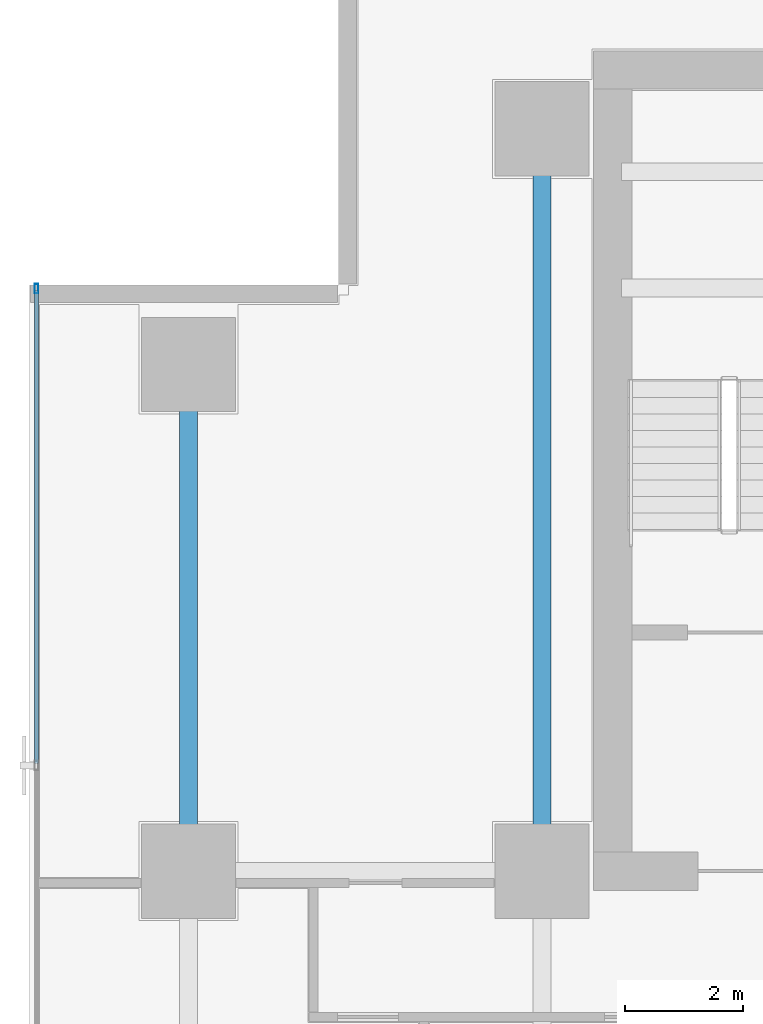
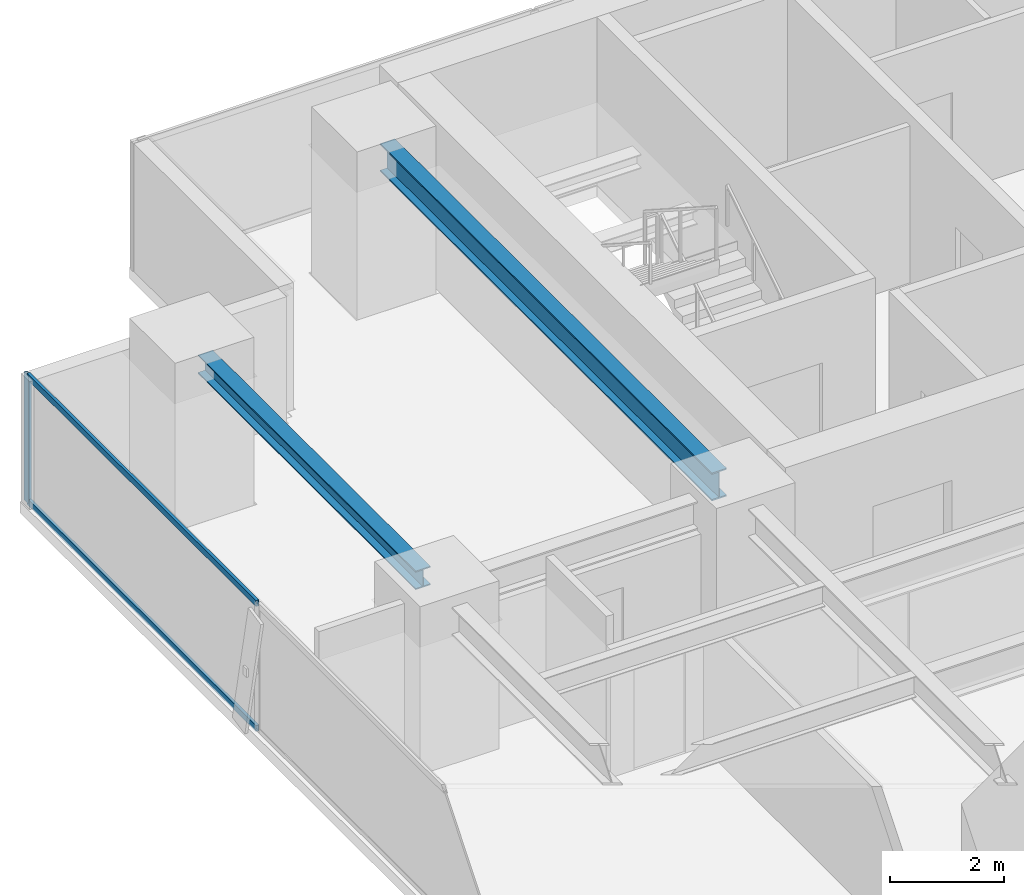
# One storey, part 18 of 36: 3 members, 2 beams, 1 element without a shape of its own.
"""IFC4 building model written with IfcOpenShell, lengths in metres."""

from ifc_helpers import new_model, si_unit, direction, frame, origin, origin_2d, place, context, subcontext, project, spatial, hollow_rectangle, i_section, extrude, source, transform, mapped, material, layer, layer_set, material_profile, profile_set, type_object, element, aggregate, save


model = new_model("IFC4")

# Units and contexts
model_context = context("Model", 3, precision=1e-05, world=origin(), true_north=direction((0.0, 1.0)))
body_context = subcontext(model_context, "Body", "Model", "MODEL_VIEW")
ifc_project = project(units=[si_unit("LENGTHUNIT", "METRE"), si_unit("AREAUNIT", "SQUARE_METRE"), si_unit("VOLUMEUNIT", "CUBIC_METRE"), si_unit("PLANEANGLEUNIT", "RADIAN"), si_unit("MASSUNIT", "GRAM", prefix="KILO")], contexts=[model_context])

# Site, building, storey
site_placement = place(None, origin())
site = spatial("IfcSite", under=ifc_project, at=site_placement, CompositionType="ELEMENT")
building_placement = place(site_placement, origin())
building = spatial("IfcBuilding", under=site, at=building_placement, Name="Sumidabori Civic Tower", CompositionType="ELEMENT")
storey_placement = place(building_placement, frame((0.0, 0.0, 92.0)))
storey = spatial("IfcBuildingStorey", under=building, at=storey_placement, Name="L23", CompositionType="ELEMENT", Elevation=92.0)

# Beams
ifc_material_1 = material(Name="Steel SN490", Category="steel")
ifc_material_profile_1 = material_profile(ifc_material_1, i_section(OverallWidth=0.300048828125, OverallDepth=0.39990234375, WebThickness=0.013427734375, FlangeThickness=0.02392578125, at=origin_2d()), Name="HE 400 B")
ifc_profile_set_1 = profile_set([ifc_material_profile_1], Name="Steel SN490")
beam_type_1 = type_object("IfcBeamType", Name="BM-GIRD-400", PredefinedType="BEAM", material=ifc_profile_set_1)
shared_shape_1 = source(origin(), body_context, "Body", "SweptSolid", [
    extrude(i_section(OverallWidth=0.300048828125, OverallDepth=0.39990234375, WebThickness=0.013427734375, FlangeThickness=0.02392578125, at=origin_2d()), origin(), (0.0, 0.0, 1.0), 7.64013671875),
])
beam_1_placement = place(storey_placement, frame((-22.800048828125, 10.679931640625, 3.159912109375), z_axis=(0.0, 1.0, 0.0), x_axis=(-1.0, 0.0, 0.0)))
element("IfcBeam", 1, at=beam_1_placement, inside=storey, type_object=beam_type_1, Name="Primary Girder L23 GY-24", PredefinedType="BEAM", context=body_context, shape_type="MappedRepresentation", body=[
    mapped(shared_shape_1, transform((0.0, 0.0, 0.0), x_axis=(1.0, 0.0, 0.0), y_axis=(0.0, 1.0, 0.0), z_axis=(0.0, 0.0, 1.0), scale=1.0)),
])
ifc_material_profile_2 = material_profile(ifc_material_1, i_section(OverallWidth=0.300048828125, OverallDepth=0.60009765625, WebThickness=0.015380859375, FlangeThickness=0.030029296875, at=origin_2d()), Name="HE 600 B")
ifc_profile_set_2 = profile_set([ifc_material_profile_2], Name="Steel SN490")
beam_type_2 = type_object("IfcBeamType", Name="BM-GIRD-600", PredefinedType="BEAM", material=ifc_profile_set_2)
shared_shape_2 = source(origin(), body_context, "Body", "SweptSolid", [
    extrude(i_section(OverallWidth=0.300048828125, OverallDepth=0.60009765625, WebThickness=0.015380859375, FlangeThickness=0.030029296875, at=origin_2d()), origin(), (0.0, 0.0, 1.0), 11.64013671875),
])
beam_2_placement = place(storey_placement, frame((-16.800048828125, 10.679931640625, 3.06005859375), z_axis=(0.0, 1.0, 0.0), x_axis=(-1.0, 0.0, 0.0)))
element("IfcBeam", 2, at=beam_2_placement, inside=storey, type_object=beam_type_2, Name="Primary Girder L23 GY-28", PredefinedType="BEAM", context=body_context, shape_type="MappedRepresentation", body=[
    mapped(shared_shape_2, transform((0.0, 0.0, 0.0), x_axis=(1.0, 0.0, 0.0), y_axis=(0.0, 1.0, 0.0), z_axis=(0.0, 0.0, 1.0), scale=1.0)),
])

# Curtain wall, members
ifc_material_2 = material(Name="Anodised Bronze Aluminium AW-6063-T6", Category="aluminium")
ifc_layer = layer(ifc_material_2, 0.179931640625, Name="Anodised Bronze Aluminium AW-6063-T6")
ifc_layer_set = layer_set([ifc_layer], Name="Anodised Bronze Aluminium AW-6063-T6")
curtain_wall_type = type_object("IfcCurtainWallType", Name="CW-SYS-3", PredefinedType="NOTDEFINED", material=ifc_layer_set)
curtain_wall_placement = place(storey_placement, origin())
curtain_wall = element("IfcCurtainWall", 3, at=curtain_wall_placement, inside=storey, type_object=curtain_wall_type, Name="Curtain Wall CW:L23:R10", PredefinedType="NOTDEFINED")
ifc_material_profile_3 = material_profile(ifc_material_2, hollow_rectangle(XDim=0.06494140625, YDim=0.159912109375, WallThickness=0.0048828125, at=origin_2d()), Name="ALU MULLION 160x65")
ifc_profile_set_3 = profile_set([ifc_material_profile_3], Name="Anodised Bronze Aluminium AW-6063-T6")
member_type_1 = type_object("IfcMemberType", Name="CW-MUL-160", PredefinedType="MULLION", material=ifc_profile_set_3)
shared_shape_3 = source(origin(), body_context, "Body", "SweptSolid", [
    extrude(hollow_rectangle(XDim=0.06494140625, YDim=0.159912109375, WallThickness=0.0048828125, at=origin_2d()), origin(), (0.0, 0.0, 1.0), 2.739990234375),
])
member_1_placement = place(storey_placement, frame((-25.3798828125, 20.08740234375, 0.0), z_axis=(0.0, 0.0, 1.0), x_axis=(1.0, 0.0, 0.0)))
member_1 = element("IfcMember", 4, at=member_1_placement, type_object=member_type_1, Name="CW-3 mullion 1", PredefinedType="MULLION", context=body_context, shape_type="MappedRepresentation", body=[
    mapped(shared_shape_3, transform((0.0, 0.0, 0.0), x_axis=(1.0, 0.0, 0.0), y_axis=(0.0, 1.0, 0.0), z_axis=(0.0, 0.0, 1.0), scale=1.0)),
])
ifc_material_profile_4 = material_profile(ifc_material_2, hollow_rectangle(XDim=0.06005859375, YDim=0.1298828125, WallThickness=0.0048828125, at=origin_2d()), Name="ALU TRANSOM 130x60")
ifc_profile_set_4 = profile_set([ifc_material_profile_4], Name="Anodised Bronze Aluminium AW-6063-T6")
member_type_2 = type_object("IfcMemberType", Name="CW-TRN-130", PredefinedType="USERDEFINED", material=ifc_profile_set_4)
shared_shape_4 = source(origin(), body_context, "Body", "SweptSolid", [
    extrude(hollow_rectangle(XDim=0.06005859375, YDim=0.1298828125, WallThickness=0.0048828125, at=origin_2d()), origin(), (0.0, 0.0, 1.0), 8.030517578125),
])
member_2_placement = place(storey_placement, frame((-25.3798828125, 20.054931640625, 0.030029296875), z_axis=(0.0, -1.0, 0.0), x_axis=(1.0, 0.0, 0.0)))
member_2 = element("IfcMember", 5, at=member_2_placement, type_object=member_type_2, Name="CW-3 transom 1.1", ObjectType="TRANSOM", PredefinedType="USERDEFINED", context=body_context, shape_type="MappedRepresentation", body=[
    mapped(shared_shape_4, transform((0.0, 0.0, 0.0), x_axis=(1.0, 0.0, 0.0), y_axis=(0.0, 1.0, 0.0), z_axis=(0.0, 0.0, 1.0), scale=1.0)),
])
member_3_placement = place(storey_placement, frame((-25.3798828125, 20.054931640625, 2.7099609375), z_axis=(0.0, -1.0, 0.0), x_axis=(1.0, 0.0, 0.0)))
member_3 = element("IfcMember", 6, at=member_3_placement, type_object=member_type_2, Name="CW-3 transom 1.2", ObjectType="TRANSOM", PredefinedType="USERDEFINED", context=body_context, shape_type="MappedRepresentation", body=[
    mapped(shared_shape_4, transform((0.0, 0.0, 0.0), x_axis=(1.0, 0.0, 0.0), y_axis=(0.0, 1.0, 0.0), z_axis=(0.0, 0.0, 1.0), scale=1.0)),
])
aggregate(curtain_wall, [member_1, member_2, member_3])

save(model, "model.ifc")
